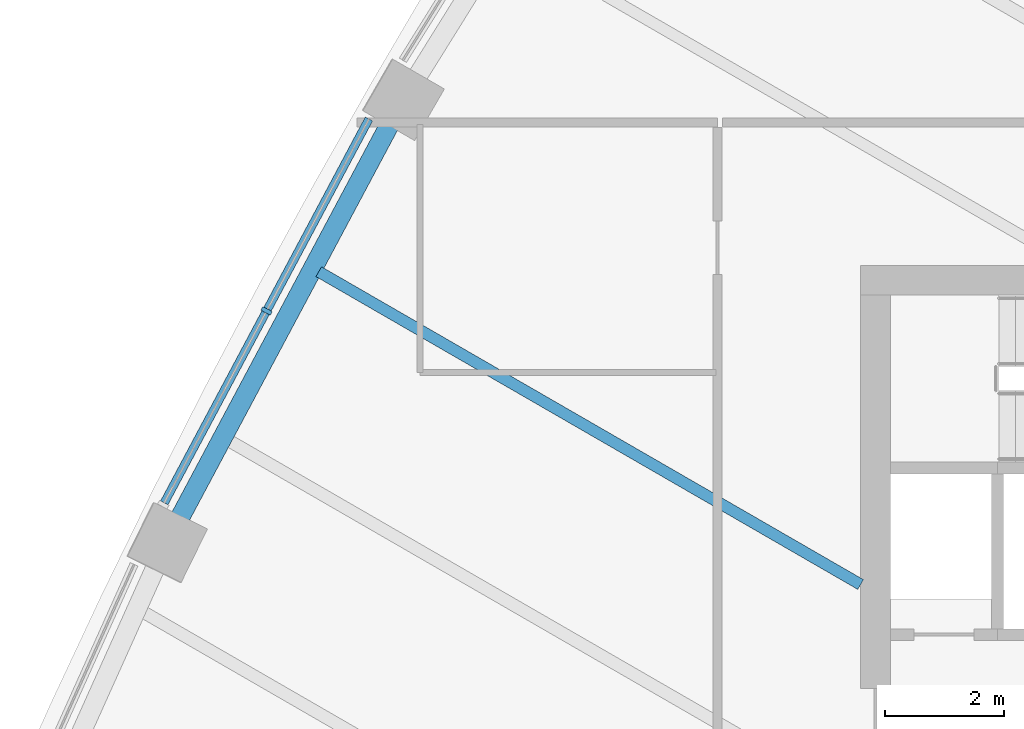
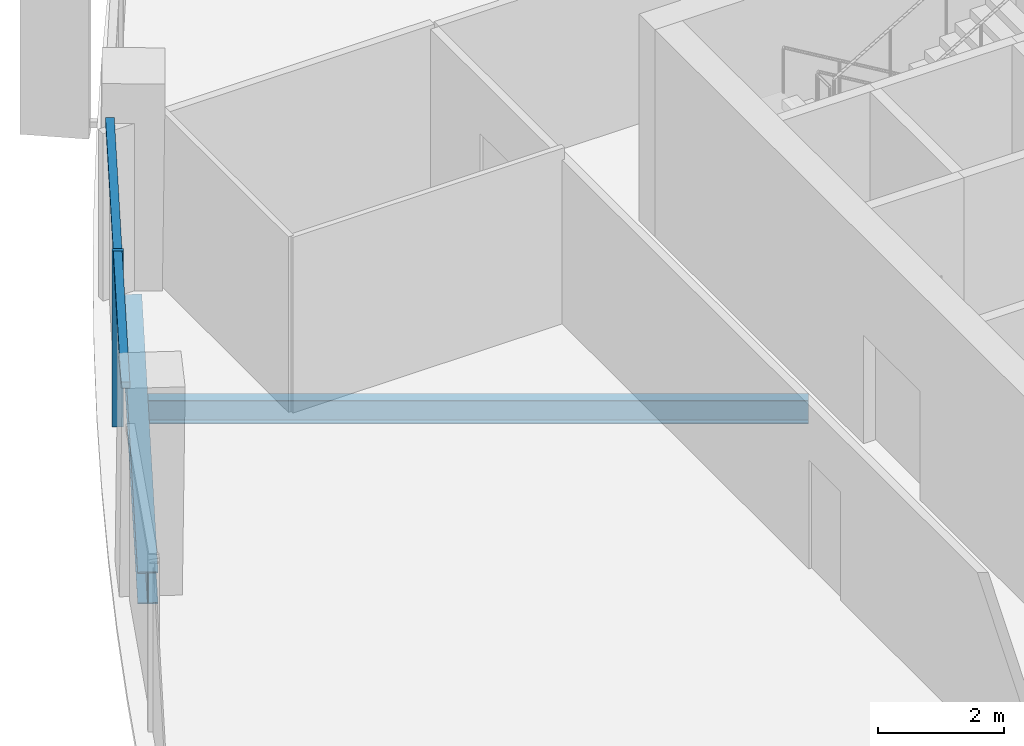
# One storey, part 3 of 20: 3 members, 2 beams, 1 element without a shape of its own.
"""IFC4 building model written with IfcOpenShell, lengths in metres."""

from ifc_helpers import new_model, si_unit, direction, frame, origin, origin_2d, place, context, subcontext, project, spatial, rectangle, i_section, extrude, material, layer, layer_set, material_profile, profile_set, type_object, element, aggregate, save


model = new_model("IFC4")

# Units and contexts
model_context = context("Model", 3, precision=1e-05, world=origin(), true_north=direction((0.0, 1.0)))
body_context = subcontext(model_context, "Body", "Model", "MODEL_VIEW")
ifc_project = project(units=[si_unit("LENGTHUNIT", "METRE"), si_unit("AREAUNIT", "SQUARE_METRE"), si_unit("VOLUMEUNIT", "CUBIC_METRE"), si_unit("PLANEANGLEUNIT", "RADIAN"), si_unit("MASSUNIT", "GRAM", prefix="KILO")], contexts=[model_context])

# Site, building, storey
site_placement = place(None, origin())
site = spatial("IfcSite", under=ifc_project, at=site_placement, CompositionType="ELEMENT")
building_placement = place(site_placement, origin())
building = spatial("IfcBuilding", under=site, at=building_placement, Name="Sierra Prisma Convention Tower", CompositionType="ELEMENT")
storey_placement = place(building_placement, frame((0.0, 0.0, 161.800048828125)))
storey = spatial("IfcBuildingStorey", under=building, at=storey_placement, Name="L35", CompositionType="ELEMENT", Elevation=161.800048828125)

# Curtain wall, members
ifc_material_1 = material(Name="Aluminium and glass curtain wall", Category="aluminium")
ifc_layer = layer(ifc_material_1, 0.179931640625)
ifc_layer_set = layer_set([ifc_layer], Name="CW-1 Plain shaft curtain wall")
curtain_wall_type = type_object("IfcCurtainWallType", Name="CW-1 Plain shaft curtain wall", PredefinedType="NOTDEFINED", material=ifc_layer_set)
curtain_wall_placement = place(storey_placement, origin())
curtain_wall = element("IfcCurtainWall", 1, at=curtain_wall_placement, inside=storey, type_object=curtain_wall_type, Name="CW-1 NW4 L35", PredefinedType="NOTDEFINED")
ifc_material_2 = material(Name="Aluminium 6063-T6 bronze anodised", Category="aluminium")
ifc_material_profile_1 = material_profile(ifc_material_2, rectangle(XDim=0.179931640625, YDim=0.070068359375, at=origin_2d()), Name="ALU MULLION 70x180")
ifc_profile_set_1 = profile_set([ifc_material_profile_1], Name="Aluminium 6063-T6 bronze anodised")
member_type_1 = type_object("IfcMemberType", Name="CW mullion bronze", PredefinedType="MULLION", material=ifc_profile_set_1)
member_1_placement = place(storey_placement, frame((-20.973876953125, 7.236572265625, 0.0), z_axis=(0.0, 0.0, 1.0), x_axis=(0.882365609819, -0.47056448082, 0.0)))
member_1 = element("IfcMember", 2, at=member_1_placement, type_object=member_type_1, Name="CW-1 mullion NW4.2", PredefinedType="MULLION", context=body_context, shape_type="SweptSolid", body=[
    extrude(rectangle(XDim=0.179931640625, YDim=0.070068359375, at=origin_2d()), origin(), (0.0, 0.0, 1.0), 3.39990234375),
])
ifc_material_3 = material(Name="Aluminium 6063-T6 bronze anodised", Category="aluminium")
ifc_material_profile_2 = material_profile(ifc_material_3, rectangle(XDim=0.139892578125, YDim=0.1201171875, at=origin_2d()), Name="ALU TRANSOM 120x140")
ifc_profile_set_2 = profile_set([ifc_material_profile_2], Name="Aluminium 6063-T6 bronze anodised")
member_type_2 = type_object("IfcMemberType", Name="CW transom bronze", PredefinedType="USERDEFINED", material=ifc_profile_set_2)
member_2_placement = place(storey_placement, frame((-19.255126953125, 10.459228515625, 3.33984375), z_axis=(-0.470574222459, -0.882360414545, 0.0), x_axis=(0.882360414545, -0.470574222459, 0.0)))
member_2 = element("IfcMember", 3, at=member_2_placement, type_object=member_type_2, Name="CW-1 transom NW4.1", ObjectType="TRANSOM", PredefinedType="USERDEFINED", context=body_context, shape_type="SweptSolid", body=[
    extrude(rectangle(XDim=0.139892578125, YDim=0.1201171875, at=origin_2d()), origin(), (0.0, 0.0, 1.0), 3.6171875),
])
member_3_placement = place(storey_placement, frame((-20.990234375, 7.205810546875, 3.33984375), z_axis=(-0.470574222459, -0.882360414545, 0.0), x_axis=(0.882360414545, -0.470574222459, 0.0)))
member_3 = element("IfcMember", 4, at=member_3_placement, type_object=member_type_2, Name="CW-1 transom NW4.2", ObjectType="TRANSOM", PredefinedType="USERDEFINED", context=body_context, shape_type="SweptSolid", body=[
    extrude(rectangle(XDim=0.139892578125, YDim=0.1201171875, at=origin_2d()), origin(), (0.0, 0.0, 1.0), 3.6171875),
])
aggregate(curtain_wall, [member_1, member_2, member_3])

# Beams
ifc_material_4 = material(Name="Steel ASTM A992 Gr 50", Category="steel")
ifc_material_profile_3 = material_profile(ifc_material_4, i_section(OverallWidth=0.18994140625, OverallDepth=0.45703125, WebThickness=0.009033203125, FlangeThickness=0.014404296875, at=origin_2d()), Name="W460x74")
ifc_profile_set_3 = profile_set([ifc_material_profile_3], Name="Steel ASTM A992 Gr 50")
beam_type_1 = type_object("IfcBeamType", Name="Floor joist W460x74", PredefinedType="JOIST", material=ifc_profile_set_3)
beam_1_placement = place(storey_placement, frame((-20.098388671875, 7.895751953125, -0.378662109375), z_axis=(0.866026535635, -0.499998039572, 0.0), x_axis=(0.499998039572, 0.866026535635, 0.0)))
element("IfcBeam", 5, at=beam_1_placement, inside=storey, type_object=beam_type_1, Name="Floor joist L35 NW09", PredefinedType="JOIST", context=body_context, shape_type="SweptSolid", body=[
    extrude(i_section(OverallWidth=0.18994140625, OverallDepth=0.45703125, WebThickness=0.009033203125, FlangeThickness=0.014404296875, at=origin_2d()), origin(), (0.0, 0.0, 1.0), 10.505859375),
])
ifc_material_5 = material(Name="Steel ASTM A992 Gr 50", Category="steel")
ifc_material_profile_4 = material_profile(ifc_material_5, i_section(OverallWidth=0.324951171875, OverallDepth=0.615966796875, WebThickness=0.013916015625, FlangeThickness=0.021484375, at=origin_2d()), Name="W610x174")
ifc_profile_set_4 = profile_set([ifc_material_profile_4], Name="Steel ASTM A992 Gr 50")
beam_type_2 = type_object("IfcBeamType", Name="Spandrel beam W610x174", PredefinedType="BEAM", material=ifc_profile_set_4)
beam_2_placement = place(storey_placement, frame((-18.86279296875, 10.45166015625, -0.4580078125), z_axis=(-0.470566765789, -0.882364391244, 0.0), x_axis=(0.882364391244, -0.470566765789, 0.0)))
element("IfcBeam", 6, at=beam_2_placement, inside=storey, type_object=beam_type_2, Name="Spandrel L35-16", PredefinedType="BEAM", context=body_context, shape_type="SweptSolid", body=[
    extrude(i_section(OverallWidth=0.324951171875, OverallDepth=0.615966796875, WebThickness=0.013916015625, FlangeThickness=0.021484375, at=origin_2d()), origin(), (0.0, 0.0, 1.0), 7.6728515625),
])

save(model, "model.ifc")
